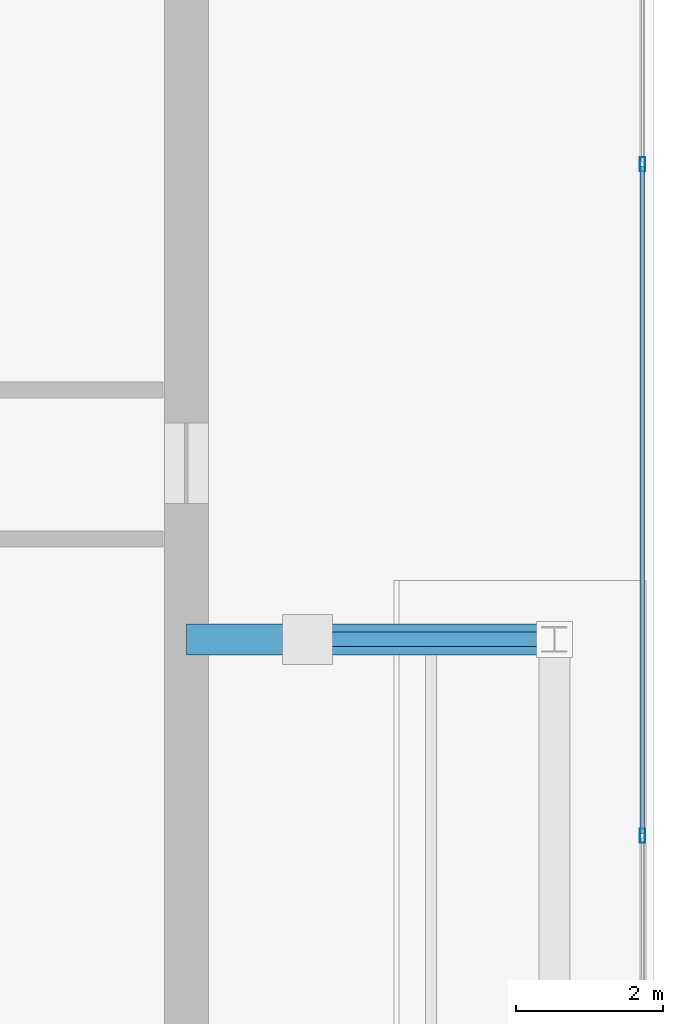
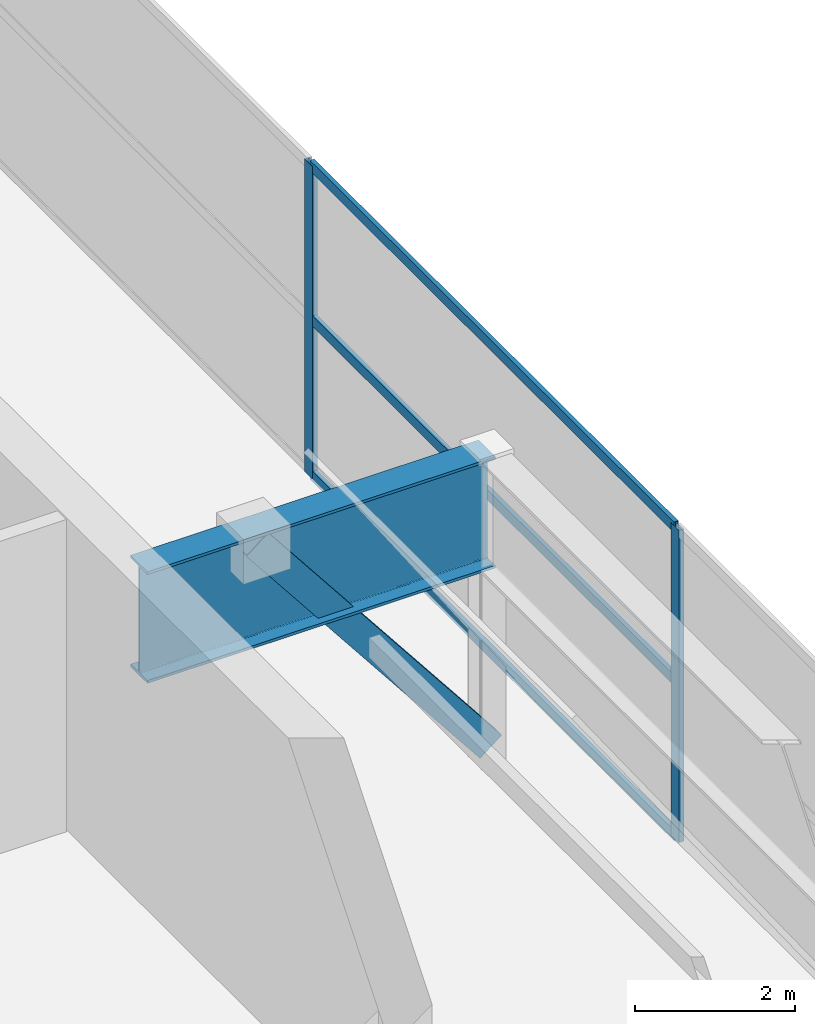
# One storey, part 11 of 20: 5 members, 2 beams, 1 element without a shape of its own.
"""IFC4 building model written with IfcOpenShell, lengths in metres."""

from ifc_helpers import new_model, si_unit, direction, frame, origin, origin_2d, place, context, subcontext, project, spatial, hollow_rectangle, i_section, extrude, material, layer, layer_set, material_profile, profile_set, type_object, element, aggregate, save


model = new_model("IFC4")

# Units and contexts
model_context = context("Model", 3, precision=1e-05, world=origin(), true_north=direction((0.0, 1.0)))
body_context = subcontext(model_context, "Body", "Model", "MODEL_VIEW")
ifc_project = project(units=[si_unit("LENGTHUNIT", "METRE"), si_unit("AREAUNIT", "SQUARE_METRE"), si_unit("VOLUMEUNIT", "CUBIC_METRE"), si_unit("PLANEANGLEUNIT", "RADIAN"), si_unit("MASSUNIT", "GRAM", prefix="KILO")], contexts=[model_context])

# Site, building, storey
site_placement = place(None, origin())
site = spatial("IfcSite", under=ifc_project, at=site_placement, CompositionType="ELEMENT")
building_placement = place(site_placement, origin())
building = spatial("IfcBuilding", under=site, at=building_placement, Name="Calvorn Quay Hotel", CompositionType="ELEMENT")
storey_placement = place(building_placement, frame((0.0, 0.0, 340.5)))
storey = spatial("IfcBuildingStorey", under=building, at=storey_placement, Name="L83", CompositionType="ELEMENT", Elevation=340.5)

# Beams
ifc_material_1 = material(Name="Steel Q355B", Category="steel")
ifc_material_profile_1 = material_profile(ifc_material_1, hollow_rectangle(XDim=0.199951171875, YDim=0.39990234375, WallThickness=0.013916015625, at=origin_2d()), Name="RHS400x200x14")
ifc_profile_set_1 = profile_set([ifc_material_profile_1], Name="Steel Q355B")
beam_type_1 = type_object("IfcBeamType", Name="BM-CRN-RAFTER", PredefinedType="BEAM", material=ifc_profile_set_1)
beam_1_placement = place(storey_placement, frame((20.01708984375, 23.60009765625, 0.25), z_axis=(-0.62010046776, 0.0, 0.784522408784), x_axis=(0.0, -1.0, 0.0)))
element("IfcBeam", 1, at=beam_1_placement, inside=storey, type_object=beam_type_1, Name="Crown Raking Rafter L83-3", PredefinedType="BEAM", context=body_context, shape_type="SweptSolid", body=[
    extrude(hollow_rectangle(XDim=0.199951171875, YDim=0.39990234375, WallThickness=0.013916015625, at=origin_2d()), origin(), (0.0, 0.0, 1.0), 5.43017578125),
])
ifc_material_2 = material(Name="Steel Q420GJC", Category="steel")
ifc_material_profile_2 = material_profile(ifc_material_2, i_section(OverallWidth=0.419921875, OverallDepth=1.699951171875, WebThickness=0.02392578125, FlangeThickness=0.0419921875, FilletRadius=0.02392578125, at=origin_2d()), Name="HN1700x420x24x42")
ifc_profile_set_2 = profile_set([ifc_material_profile_2], Name="Steel Q420GJC")
beam_type_2 = type_object("IfcBeamType", Name="BM-XFER-SAWTOOTH", PredefinedType="BEAM", material=ifc_profile_set_2)
beam_2_placement = place(storey_placement, frame((15.0, 23.60009765625, 3.889892578125), z_axis=(1.0, 0.0, 0.0), x_axis=(0.0, 1.0, 0.0)))
element("IfcBeam", 2, at=beam_2_placement, inside=storey, type_object=beam_type_2, Name="Beam BTG-L83-C-CR3", PredefinedType="BEAM", context=body_context, shape_type="SweptSolid", body=[
    extrude(i_section(OverallWidth=0.419921875, OverallDepth=1.699951171875, WebThickness=0.02392578125, FlangeThickness=0.0419921875, FilletRadius=0.02392578125, at=origin_2d()), origin(), (0.0, 0.0, 1.0), 5.01708984375),
])

# Curtain wall, members
ifc_material_3 = material(Name="Pale Anodised Aluminium and Laminated Glass", Category="aluminium")
ifc_layer = layer(ifc_material_3, 0.219970703125)
ifc_layer_set = layer_set([ifc_layer], Name="CW-SYS-CRN")
curtain_wall_type = type_object("IfcCurtainWallType", Name="CW-SYS-CRN", PredefinedType="NOTDEFINED", material=ifc_layer_set)
curtain_wall_placement = place(storey_placement, origin())
curtain_wall = element("IfcCurtainWall", 3, at=curtain_wall_placement, inside=storey, type_object=curtain_wall_type, Name="Crown Curtain Wall L83-C2", PredefinedType="NOTDEFINED")
ifc_material_4 = material(Name="Pale Anodised Aluminium 6063-T6", Category="aluminium")
ifc_material_profile_3 = material_profile(ifc_material_4, hollow_rectangle(XDim=0.072021484375, YDim=0.195068359375, WallThickness=0.00390625, at=origin_2d()), Name="ALU-M195x72x4")
ifc_profile_set_3 = profile_set([ifc_material_profile_3], Name="Pale Anodised Aluminium 6063-T6")
member_type_1 = type_object("IfcMemberType", Name="CW-SYS-CRN-MUL", PredefinedType="MULLION", material=ifc_profile_set_3)
member_1_placement = place(storey_placement, frame((21.217041015625, 20.924072265625, 0.0), z_axis=(0.0, 0.0, 1.0), x_axis=(-1.0, 0.0, 0.0)))
member_1 = element("IfcMember", 4, at=member_1_placement, type_object=member_type_1, Name="CW-L83-C2 mullion 3", PredefinedType="MULLION", context=body_context, shape_type="SweptSolid", body=[
    extrude(hollow_rectangle(XDim=0.072021484375, YDim=0.195068359375, WallThickness=0.00390625, at=origin_2d()), origin(), (0.0, 0.0, 1.0), 4.760009765625),
])
member_2_placement = place(storey_placement, frame((21.217041015625, 30.075927734375, 0.0), z_axis=(0.0, 0.0, 1.0), x_axis=(-1.0, 0.0, 0.0)))
member_2 = element("IfcMember", 5, at=member_2_placement, type_object=member_type_1, Name="CW-L83-C2 mullion 4", PredefinedType="MULLION", context=body_context, shape_type="SweptSolid", body=[
    extrude(hollow_rectangle(XDim=0.072021484375, YDim=0.195068359375, WallThickness=0.00390625, at=origin_2d()), origin(), (0.0, 0.0, 1.0), 4.760009765625),
])
ifc_material_5 = material(Name="Pale Anodised Aluminium 6063-T6", Category="aluminium")
ifc_material_profile_4 = material_profile(ifc_material_5, hollow_rectangle(XDim=0.06201171875, YDim=0.159912109375, WallThickness=0.00341796875, at=origin_2d()), Name="ALU-T160x62x3.5")
ifc_profile_set_4 = profile_set([ifc_material_profile_4], Name="Pale Anodised Aluminium 6063-T6")
member_type_2 = type_object("IfcMemberType", Name="CW-SYS-CRN-TRN", PredefinedType="USERDEFINED", material=ifc_profile_set_4)
member_3_placement = place(storey_placement, frame((21.217041015625, 20.9541015625, 0.030029296875), z_axis=(0.0, 1.0, 0.0), x_axis=(-1.0, 0.0, 0.0)))
member_3 = element("IfcMember", 6, at=member_3_placement, type_object=member_type_2, Name="CW-L83-C2 transom 3.1", ObjectType="TRANSOM", PredefinedType="USERDEFINED", context=body_context, shape_type="SweptSolid", body=[
    extrude(hollow_rectangle(XDim=0.06201171875, YDim=0.159912109375, WallThickness=0.00341796875, at=origin_2d()), origin(), (0.0, 0.0, 1.0), 9.091796875),
])
member_4_placement = place(storey_placement, frame((21.217041015625, 20.9541015625, 2.39990234375), z_axis=(0.0, 1.0, 0.0), x_axis=(-1.0, 0.0, 0.0)))
member_4 = element("IfcMember", 7, at=member_4_placement, type_object=member_type_2, Name="CW-L83-C2 transom 3.2", ObjectType="TRANSOM", PredefinedType="USERDEFINED", context=body_context, shape_type="SweptSolid", body=[
    extrude(hollow_rectangle(XDim=0.06201171875, YDim=0.159912109375, WallThickness=0.00341796875, at=origin_2d()), origin(), (0.0, 0.0, 1.0), 9.091796875),
])
member_5_placement = place(storey_placement, frame((21.217041015625, 20.9541015625, 4.72998046875), z_axis=(0.0, 1.0, 0.0), x_axis=(-1.0, 0.0, 0.0)))
member_5 = element("IfcMember", 8, at=member_5_placement, type_object=member_type_2, Name="CW-L83-C2 transom 3.3", ObjectType="TRANSOM", PredefinedType="USERDEFINED", context=body_context, shape_type="SweptSolid", body=[
    extrude(hollow_rectangle(XDim=0.06201171875, YDim=0.159912109375, WallThickness=0.00341796875, at=origin_2d()), origin(), (0.0, 0.0, 1.0), 9.091796875),
])
aggregate(curtain_wall, [member_1, member_2, member_3, member_4, member_5])

save(model, "model.ifc")
